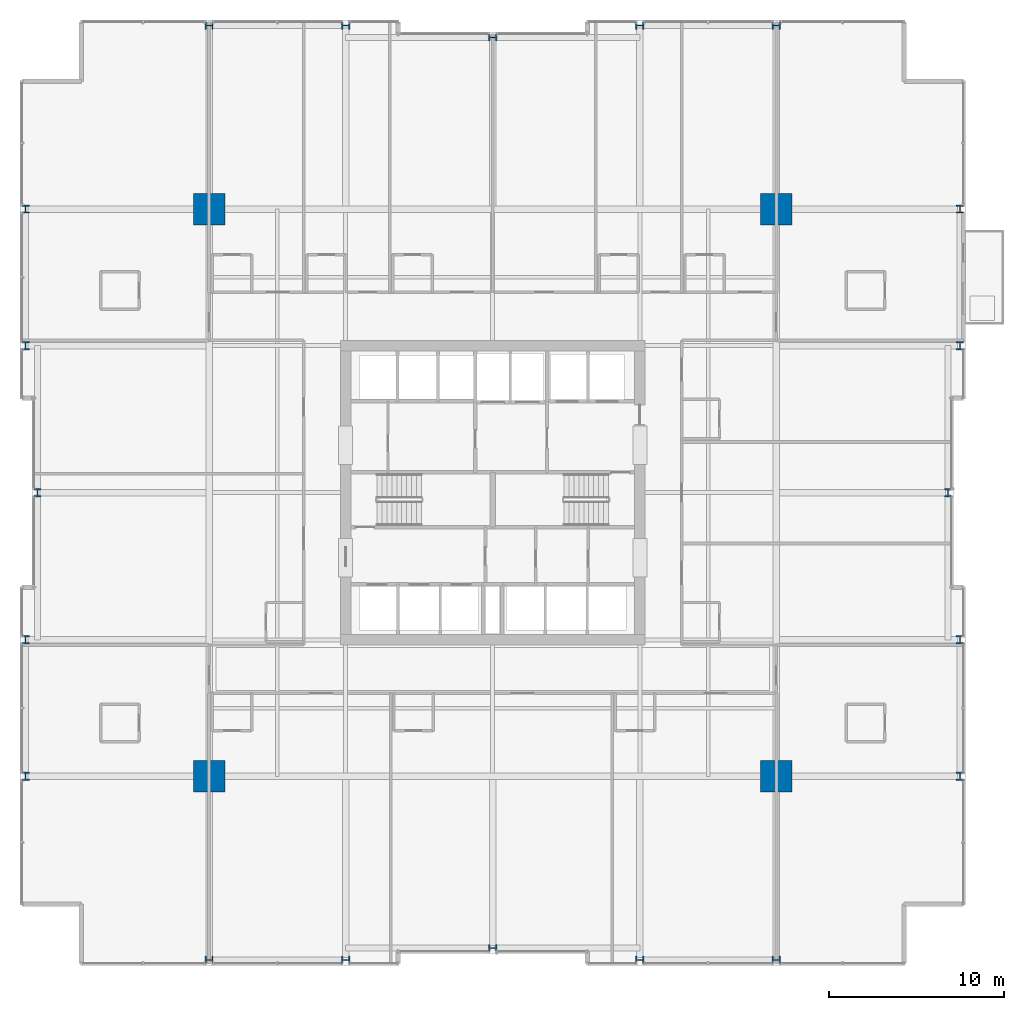
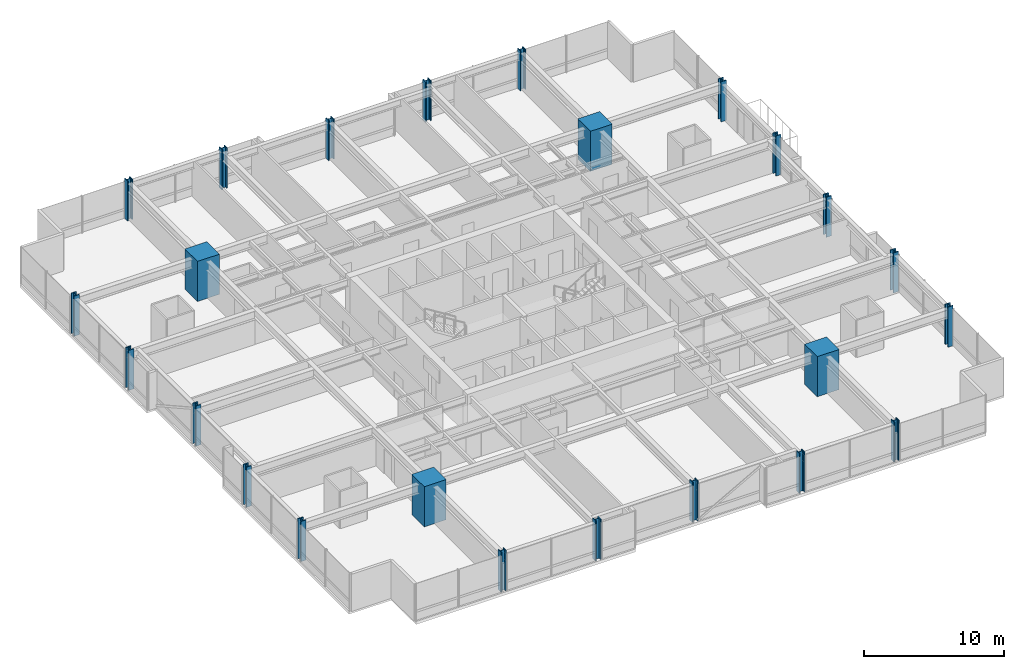
# One storey, part 1 of 38: 24 columns.
"""IFC4 building model written with IfcOpenShell, lengths in metres."""

from ifc_helpers import new_model, si_unit, direction, frame, origin, origin_2d, place, context, subcontext, project, spatial, rectangle, i_section, extrude, material, material_profile, profile_set, type_object, element, save


model = new_model("IFC4")

# Units and contexts
model_context = context("Model", 3, precision=1e-05, world=origin(), true_north=direction((0.0, 1.0)))
body_context = subcontext(model_context, "Body", "Model", "MODEL_VIEW")
ifc_project = project(units=[si_unit("LENGTHUNIT", "METRE"), si_unit("AREAUNIT", "SQUARE_METRE"), si_unit("VOLUMEUNIT", "CUBIC_METRE"), si_unit("PLANEANGLEUNIT", "RADIAN"), si_unit("MASSUNIT", "GRAM", prefix="KILO")], contexts=[model_context])

# Site, building, storey
site_placement = place(None, origin())
site = spatial("IfcSite", under=ifc_project, at=site_placement, CompositionType="ELEMENT")
building_placement = place(site_placement, origin())
building = spatial("IfcBuilding", under=site, at=building_placement, Name="Drelvath Grand Hotel", CompositionType="ELEMENT")
storey_placement = place(building_placement, frame((0.0, 0.0, 64.699951171875)))
storey = spatial("IfcBuildingStorey", under=building, at=storey_placement, Name="L15", CompositionType="ELEMENT", Elevation=64.699951171875)

# Columns
ifc_material_1 = material(Name="Concrete f'c 70 MPa", Category="concrete")
ifc_material_profile_1 = material_profile(ifc_material_1, rectangle(XDim=1.800048828125, YDim=1.800048828125, at=origin_2d()), Name="MC1800X1800")
ifc_profile_set_1 = profile_set([ifc_material_profile_1], Name="Concrete f'c 70 MPa")
column_type_1 = type_object("IfcColumnType", Name="Composite Mega Column MC1800X1800", PredefinedType="COLUMN", material=ifc_profile_set_1)
for number, where, z_axis, x_axis, name in (
    (1, (-16.199951171875, 10.800048828125, 0.0), (0.0, 0.0, 1.0), (1.0, 0.0, 0.0), "L15 Composite Mega Column MC-SW"),
    (2, (16.199951171875, 10.800048828125, 0.0), (0.0, 0.0, 1.0), (1.0, 0.0, 0.0), "L15 Composite Mega Column MC-SE"),
    (3, (-16.199951171875, 43.199951171875, 0.0), (0.0, 0.0, 1.0), (1.0, 0.0, 0.0), "L15 Composite Mega Column MC-NW"),
    (4, (16.199951171875, 43.199951171875, 0.0), (0.0, 0.0, 1.0), (1.0, 0.0, 0.0), "L15 Composite Mega Column MC-NE"),
):
    element("IfcColumn", number, at=place(storey_placement, frame(where, z_axis=z_axis, x_axis=x_axis)), inside=storey, type_object=column_type_1, Name=name, PredefinedType="COLUMN", context=body_context, shape_type="SweptSolid", body=[
        extrude(rectangle(XDim=1.800048828125, YDim=1.800048828125, at=origin_2d()), origin(), (0.0, 0.0, 1.0), 3.5),
    ])
ifc_material_2 = material(Name="Steel ASTM A913 Gr 65", Category="steel")
ifc_material_profile_2 = material_profile(ifc_material_2, i_section(OverallWidth=0.424072265625, OverallDepth=0.47412109375, WebThickness=0.047607421875, FlangeThickness=0.0771484375, FilletRadius=0.030029296875, at=origin_2d()), Name="W14X426")
ifc_profile_set_2 = profile_set([ifc_material_profile_2], Name="Steel ASTM A913 Gr 65")
column_type_2 = type_object("IfcColumnType", Name="Perimeter Steel Column W14X426", PredefinedType="COLUMN", material=ifc_profile_set_2)
for number, where, z_axis, x_axis, name in (
    (5, (-26.679931640625, 10.800048828125, 0.0), (0.0, 0.0, 1.0), (1.0, 0.0, 0.0), "L15 Structural Column TCW-C"),
    (6, (26.679931640625, 10.800048828125, 0.0), (0.0, 0.0, 1.0), (1.0, 0.0, 0.0), "L15 Structural Column TCE-C"),
    (7, (-26.679931640625, 18.60009765625, 0.0), (0.0, 0.0, 1.0), (1.0, 0.0, 0.0), "L15 Structural Column TCW-D"),
    (8, (26.679931640625, 18.60009765625, 0.0), (0.0, 0.0, 1.0), (1.0, 0.0, 0.0), "L15 Structural Column TCE-D"),
    (9, (-26.0, 27.0, 0.0), (0.0, 0.0, 1.0), (1.0, 0.0, 0.0), "L15 Structural Column TCW-E"),
    (10, (26.0, 27.0, 0.0), (0.0, 0.0, 1.0), (1.0, 0.0, 0.0), "L15 Structural Column TCE-E"),
    (11, (-26.679931640625, 35.39990234375, 0.0), (0.0, 0.0, 1.0), (1.0, 0.0, 0.0), "L15 Structural Column TCW-F"),
    (12, (26.679931640625, 35.39990234375, 0.0), (0.0, 0.0, 1.0), (1.0, 0.0, 0.0), "L15 Structural Column TCE-F"),
    (13, (-26.679931640625, 43.199951171875, 0.0), (0.0, 0.0, 1.0), (1.0, 0.0, 0.0), "L15 Structural Column TCW-G"),
    (14, (26.679931640625, 43.199951171875, 0.0), (0.0, 0.0, 1.0), (1.0, 0.0, 0.0), "L15 Structural Column TCE-G"),
    (15, (-16.199951171875, 0.320068359375, 0.0), (0.0, 0.0, 1.0), (0.0, 1.0, 0.0), "L15 Structural Column TCS-3"),
    (16, (-16.199951171875, 53.679931640625, 0.0), (0.0, 0.0, 1.0), (0.0, 1.0, 0.0), "L15 Structural Column TCN-3"),
    (17, (-8.39990234375, 0.320068359375, 0.0), (0.0, 0.0, 1.0), (0.0, 1.0, 0.0), "L15 Structural Column TCS-4"),
    (18, (-8.39990234375, 53.679931640625, 0.0), (0.0, 0.0, 1.0), (0.0, 1.0, 0.0), "L15 Structural Column TCN-4"),
    (19, (0.0, 1.0, 0.0), (0.0, 0.0, 1.0), (0.0, 1.0, 0.0), "L15 Structural Column TCS-5"),
    (20, (0.0, 53.0, 0.0), (0.0, 0.0, 1.0), (0.0, 1.0, 0.0), "L15 Structural Column TCN-5"),
    (21, (8.39990234375, 0.320068359375, 0.0), (0.0, 0.0, 1.0), (0.0, 1.0, 0.0), "L15 Structural Column TCS-6"),
    (22, (8.39990234375, 53.679931640625, 0.0), (0.0, 0.0, 1.0), (0.0, 1.0, 0.0), "L15 Structural Column TCN-6"),
    (23, (16.199951171875, 0.320068359375, 0.0), (0.0, 0.0, 1.0), (0.0, 1.0, 0.0), "L15 Structural Column TCS-7"),
    (24, (16.199951171875, 53.679931640625, 0.0), (0.0, 0.0, 1.0), (0.0, 1.0, 0.0), "L15 Structural Column TCN-7"),
):
    element("IfcColumn", number, at=place(storey_placement, frame(where, z_axis=z_axis, x_axis=x_axis)), inside=storey, type_object=column_type_2, Name=name, PredefinedType="COLUMN", context=body_context, shape_type="SweptSolid", body=[
        extrude(i_section(OverallWidth=0.424072265625, OverallDepth=0.47412109375, WebThickness=0.047607421875, FlangeThickness=0.0771484375, FilletRadius=0.030029296875, at=origin_2d()), origin(), (0.0, 0.0, 1.0), 3.4970703125),
    ])

save(model, "model.ifc")
